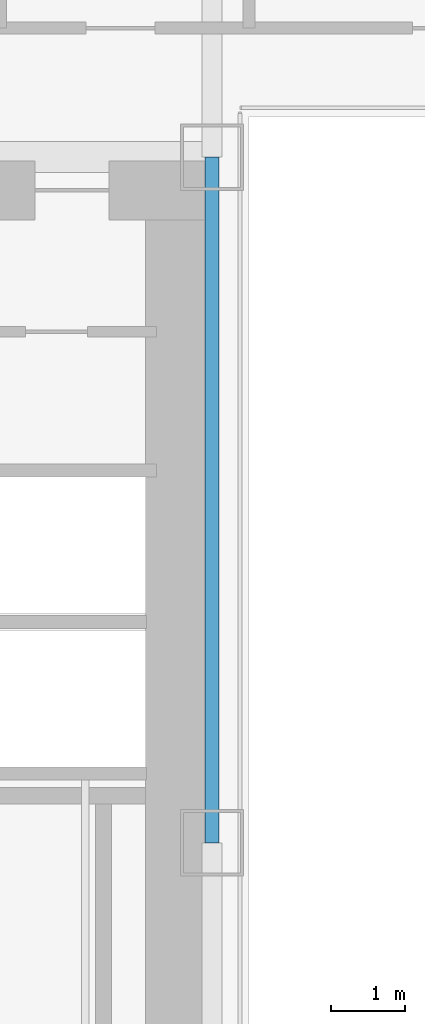
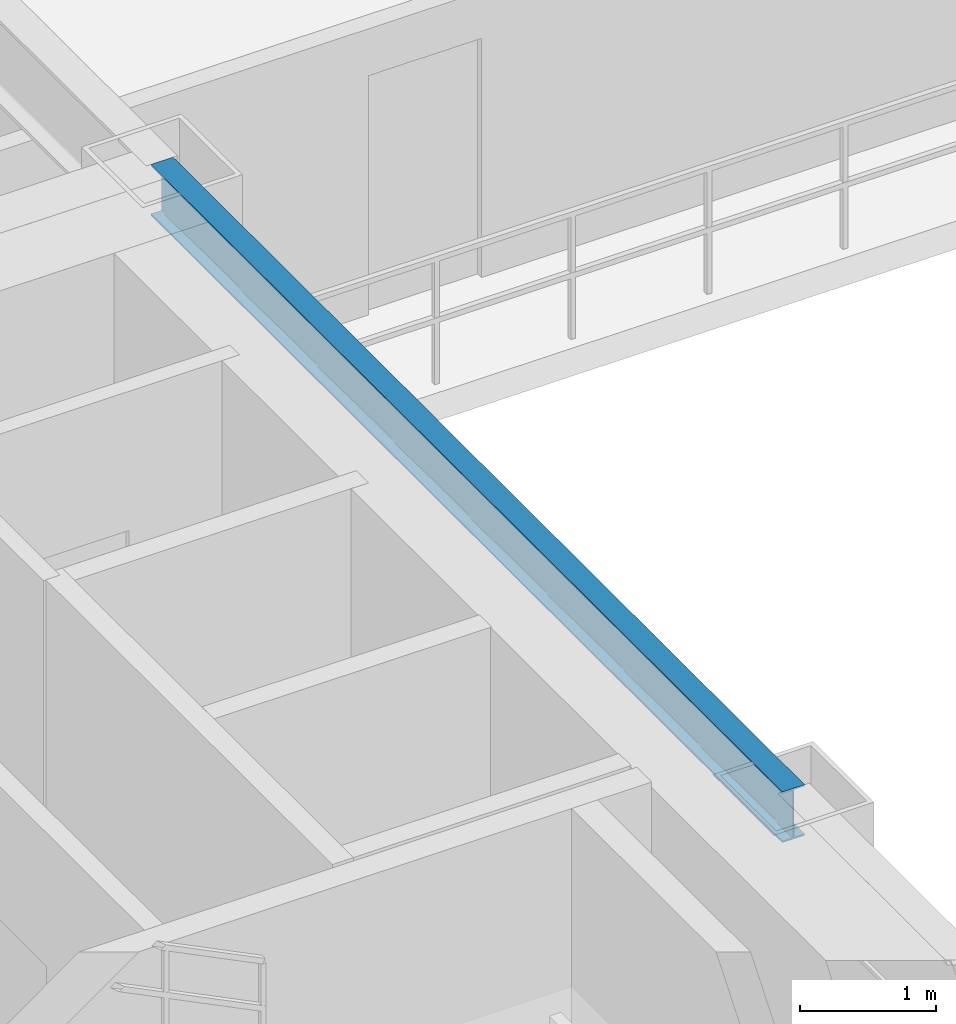
# One storey, part 9 of 35: 1 beam.
"""IFC4 building model written with IfcOpenShell, lengths in metres."""

from ifc_helpers import new_model, si_unit, direction, frame, origin, origin_2d, place, context, subcontext, project, spatial, i_section, extrude, source, transform, mapped, material, material_profile, profile_set, type_object, element, save


model = new_model("IFC4")

# Units and contexts
model_context = context("Model", 3, precision=1e-05, world=origin(), true_north=direction((0.0, 1.0)))
body_context = subcontext(model_context, "Body", "Model", "MODEL_VIEW")
ifc_project = project(units=[si_unit("LENGTHUNIT", "METRE"), si_unit("AREAUNIT", "SQUARE_METRE"), si_unit("VOLUMEUNIT", "CUBIC_METRE"), si_unit("PLANEANGLEUNIT", "RADIAN"), si_unit("MASSUNIT", "GRAM", prefix="KILO")], contexts=[model_context])

# Site, building, storey
site_placement = place(None, origin())
site = spatial("IfcSite", under=ifc_project, at=site_placement, CompositionType="ELEMENT")
building_placement = place(site_placement, origin())
building = spatial("IfcBuilding", under=site, at=building_placement, Name="Ocotamira Hotel", CompositionType="ELEMENT")
storey_placement = place(building_placement, frame((0.0, 0.0, 70.800048828125)))
storey = spatial("IfcBuildingStorey", under=building, at=storey_placement, Name="L17", CompositionType="ELEMENT", Elevation=70.800048828125)

# Beam
ifc_material = material(Name="Steel ASTM A992 Grade 50", Category="steel")
ifc_material_profile = material_profile(ifc_material, i_section(OverallWidth=0.18994140625, OverallDepth=0.45703125, WebThickness=0.009033203125, FlangeThickness=0.014404296875, FilletRadius=0.010009765625, at=origin_2d()), Name="W18X50")
ifc_profile_set = profile_set([ifc_material_profile], Name="Steel ASTM A992 Grade 50")
beam_type = type_object("IfcBeamType", Name="BM-SEC-W18X50", PredefinedType="JOIST", material=ifc_profile_set)
shared_shape = source(origin(), body_context, "Body", "SweptSolid", [
    extrude(i_section(OverallWidth=0.18994140625, OverallDepth=0.45703125, WebThickness=0.009033203125, FlangeThickness=0.014404296875, FilletRadius=0.010009765625, at=origin_2d()), origin(), (0.0, 0.0, 1.0), 9.300048828125),
])
beam_placement = place(storey_placement, frame((23.5, 28.14990234375, 3.121337890625), z_axis=(0.0, 1.0, 0.0), x_axis=(-1.0, 0.0, 0.0)))
element("IfcBeam", 1, at=beam_placement, inside=storey, type_object=beam_type, Name="L17 Beam X23.5 Y28.15-37.45", PredefinedType="JOIST", context=body_context, shape_type="MappedRepresentation", body=[
    mapped(shared_shape, transform((0.0, 0.0, 0.0), scale=1.0)),
])

save(model, "model.ifc")
